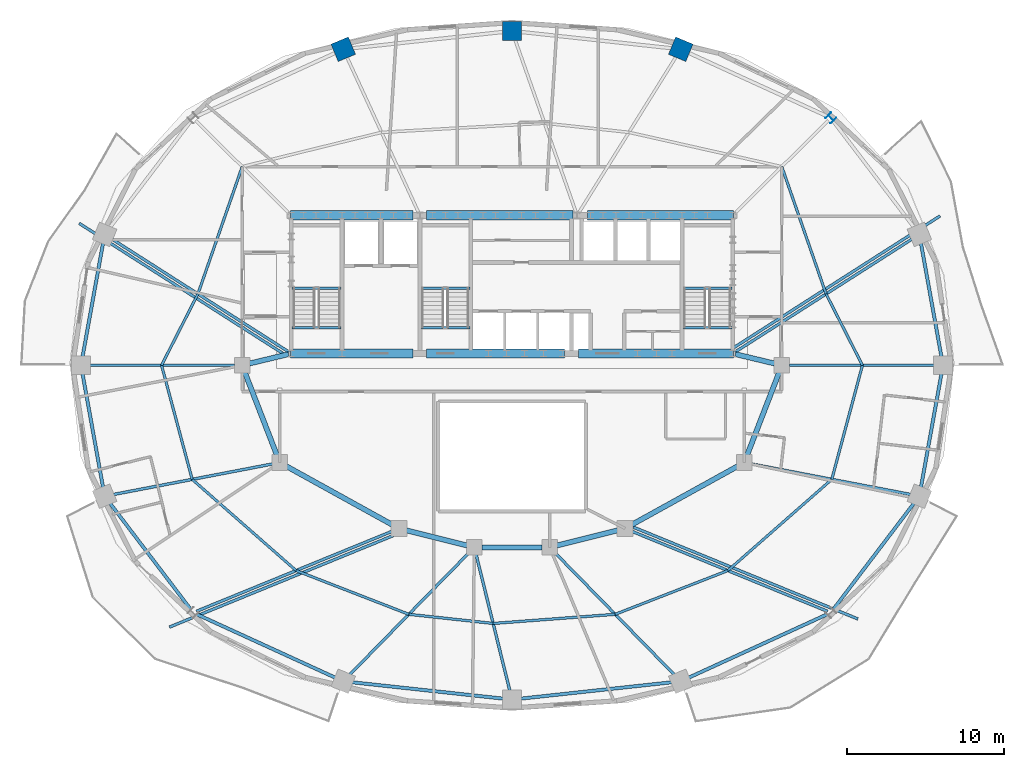
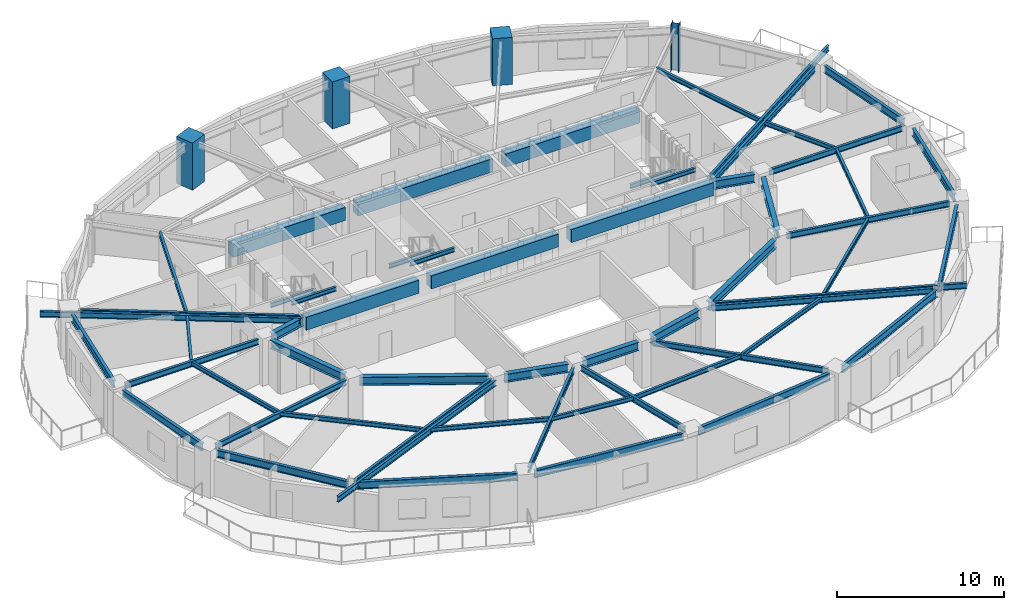
# One storey, part 2 of 10: 58 beams, 4 columns.
"""IFC4 building model written with IfcOpenShell, lengths in metres."""

from ifc_helpers import new_model, si_unit, direction, frame, origin, origin_2d, place, context, subcontext, project, spatial, rectangle, i_section, extrude, material, material_profile, profile_set, type_object, element, save


model = new_model("IFC4")

# Units and contexts
model_context = context("Model", 3, precision=1e-05, world=origin(), true_north=direction((0.0, 1.0)))
body_context = subcontext(model_context, "Body", "Model", "MODEL_VIEW")
ifc_project = project(units=[si_unit("LENGTHUNIT", "METRE"), si_unit("AREAUNIT", "SQUARE_METRE"), si_unit("VOLUMEUNIT", "CUBIC_METRE"), si_unit("PLANEANGLEUNIT", "RADIAN"), si_unit("MASSUNIT", "GRAM", prefix="KILO")], contexts=[model_context])

# Site, building, storey
site_placement = place(None, origin())
site = spatial("IfcSite", under=ifc_project, at=site_placement, CompositionType="ELEMENT")
building_placement = place(site_placement, origin())
building = spatial("IfcBuilding", under=site, at=building_placement, Name="Haldorwick Loom Tower", CompositionType="ELEMENT")
storey_placement = place(building_placement, frame((0.0, 0.0, 193.449951171875)))
storey = spatial("IfcBuildingStorey", under=building, at=storey_placement, Name="L52", CompositionType="ELEMENT", Elevation=193.449951171875)

# Columns
ifc_material_1 = material(Name="Concrete C60 (60 MPa)", Category="concrete")
ifc_material_profile_1 = material_profile(ifc_material_1, rectangle(XDim=1.199951171875, YDim=1.199951171875, at=origin_2d()), Name="RC1200X1200", Category="concrete")
ifc_profile_set_1 = profile_set([ifc_material_profile_1], Name="Concrete C60 (60 MPa)")
column_type_1 = type_object("IfcColumnType", Name="STR-COL-RC1200", PredefinedType="COLUMN", material=ifc_profile_set_1)
for number, where, z_axis, x_axis, name in (
    (1, (46.75341796875, 46.140625, 0.0), (0.0, 0.0, 1.0), (0.382683432365, 0.923879532511, 0.0), "L52 Perimeter Pier Column P04"),
    (2, (36.0, 47.304931640625, 0.0), (0.0, 0.0, 1.0), (0.0, 1.0, 0.0), "L52 Perimeter Pier Column P05"),
    (3, (25.24658203125, 46.140625, 0.0), (0.0, 0.0, 1.0), (-0.382683432365, 0.923879532511, 0.0), "L52 Perimeter Pier Column P06"),
):
    element("IfcColumn", number, at=place(storey_placement, frame(where, z_axis=z_axis, x_axis=x_axis)), inside=storey, type_object=column_type_1, Name=name, PredefinedType="COLUMN", context=body_context, shape_type="SweptSolid", body=[
        extrude(rectangle(XDim=1.199951171875, YDim=1.199951171875, at=origin_2d()), origin(), (0.0, 0.0, 1.0), 3.449951171875),
    ])
ifc_material_2 = material(Name="Steel CSA G40.21 350WT", Category="steel")
ifc_material_profile_2 = material_profile(ifc_material_2, i_section(OverallWidth=0.5, OverallDepth=0.5, WebThickness=0.02197265625, FlangeThickness=0.031982421875, at=origin_2d()), Name="WWF500X500", Category="steel")
ifc_profile_set_2 = profile_set([ifc_material_profile_2], Name="Steel CSA G40.21 350WT")
column_type_2 = type_object("IfcColumnType", Name="STR-COL-WWF500", PredefinedType="COLUMN", material=ifc_profile_set_2)
column_placement = place(storey_placement, frame((56.317626953125, 41.764892578125, 0.0), z_axis=(0.0, 0.0, 1.0), x_axis=(0.707106781187, 0.707106781187, 0.0)))
element("IfcColumn", 4, at=column_placement, inside=storey, type_object=column_type_2, Name="L52 Perimeter Pier Column P03", PredefinedType="COLUMN", context=body_context, shape_type="SweptSolid", body=[
    extrude(i_section(OverallWidth=0.5, OverallDepth=0.5, WebThickness=0.02197265625, FlangeThickness=0.031982421875, at=origin_2d()), origin(), (0.0, 0.0, 1.0), 3.449951171875),
])

# Beams
ifc_material_3 = material(Name="Steel CSA G40.21 350W", Category="steel")
ifc_material_profile_3 = material_profile(ifc_material_3, i_section(OverallWidth=0.179931640625, OverallDepth=0.4130859375, WebThickness=0.009765625, FlangeThickness=0.01611328125, at=origin_2d()), Name="W410X74", Category="steel")
ifc_profile_set_3 = profile_set([ifc_material_profile_3], Name="Steel CSA G40.21 350W")
beam_type_1 = type_object("IfcBeamType", Name="STR-BM-BAL410", PredefinedType="BEAM", material=ifc_profile_set_3)
beam_1_placement = place(storey_placement, frame((43.74560546875, 15.679443359375, 3.003662109375), z_axis=(0.925580184245, -0.378551611451, 0.0), x_axis=(0.378551611451, 0.925580184245, 0.0)))
element("IfcBeam", 5, at=beam_1_placement, inside=storey, type_object=beam_type_1, Name="L52 Continuous Back-Spanned Balcony Beam 1", PredefinedType="BEAM", context=body_context, shape_type="SweptSolid", body=[
    extrude(i_section(OverallWidth=0.179931640625, OverallDepth=0.4130859375, WebThickness=0.009765625, FlangeThickness=0.01611328125, at=origin_2d()), origin(), (0.0, 0.0, 1.0), 15.447509765625),
])
beam_2_placement = place(storey_placement, frame((28.46630859375, 15.160888671875, 3.003662109375), z_axis=(-0.925585721791, -0.378538071556, 0.0), x_axis=(0.378538071556, -0.925585721791, 0.0)))
element("IfcBeam", 6, at=beam_2_placement, inside=storey, type_object=beam_type_1, Name="L52 Continuous Back-Spanned Balcony Beam 2", PredefinedType="BEAM", context=body_context, shape_type="SweptSolid", body=[
    extrude(i_section(OverallWidth=0.179931640625, OverallDepth=0.4130859375, WebThickness=0.009765625, FlangeThickness=0.01611328125, at=origin_2d()), origin(), (0.0, 0.0, 1.0), 15.447265625),
])
for number, where, z_axis, x_axis, name in (
    (7, (21.62939453125, 26.60986328125, 3.003662109375), (-0.842844376394, 0.538157372133, 0.0), (-0.538157372133, -0.842844376394, 0.0), "L52 Continuous Back-Spanned Balcony Beam 3"),
    (8, (50.0693359375, 27.081787109375, 3.003662109375), (0.842844376394, 0.538157372133, 0.0), (-0.538157372133, 0.842844376394, 0.0), "L52 Continuous Back-Spanned Balcony Beam 4"),
):
    element("IfcBeam", number, at=place(storey_placement, frame(where, z_axis=z_axis, x_axis=x_axis)), inside=storey, type_object=beam_type_1, Name=name, PredefinedType="BEAM", context=body_context, shape_type="SweptSolid", body=[
        extrude(i_section(OverallWidth=0.179931640625, OverallDepth=0.4130859375, WebThickness=0.009765625, FlangeThickness=0.01611328125, at=origin_2d()), origin(), (0.0, 0.0, 1.0), 15.680419921875),
    ])
ifc_material_4 = material(Name="Concrete C50 (50 MPa)", Category="concrete")
ifc_material_profile_4 = material_profile(ifc_material_4, rectangle(XDim=0.60009765625, YDim=0.949951171875, at=origin_2d()), Name="RC600X950", Category="concrete")
ifc_profile_set_4 = profile_set([ifc_material_profile_4], Name="Concrete C50 (50 MPa)")
beam_type_2 = type_object("IfcBeamType", Name="STR-BM-CB950", PredefinedType="LINTEL", material=ifc_profile_set_4)
beam_3_placement = place(storey_placement, frame((21.89990234375, 35.550048828125, 2.735107421875), z_axis=(1.0, 0.0, 0.0), x_axis=(0.0, 1.0, 0.0)))
element("IfcBeam", 9, at=beam_3_placement, inside=storey, type_object=beam_type_2, Name="L52 Core Coupling Beam CB-N1", PredefinedType="LINTEL", context=body_context, shape_type="SweptSolid", body=[
    extrude(rectangle(XDim=0.60009765625, YDim=0.949951171875, at=origin_2d()), origin(), (0.0, 0.0, 1.0), 7.800048828125),
])
beam_4_placement = place(storey_placement, frame((30.550048828125, 35.550048828125, 2.735107421875), z_axis=(1.0, 0.0, 0.0), x_axis=(0.0, 1.0, 0.0)))
element("IfcBeam", 10, at=beam_4_placement, inside=storey, type_object=beam_type_2, Name="L52 Core Coupling Beam CB-N2", PredefinedType="LINTEL", context=body_context, shape_type="SweptSolid", body=[
    extrude(rectangle(XDim=0.60009765625, YDim=0.949951171875, at=origin_2d()), origin(), (0.0, 0.0, 1.0), 9.349853515625),
])
beam_5_placement = place(storey_placement, frame((40.800048828125, 35.550048828125, 2.735107421875), z_axis=(1.0, 0.0, 0.0), x_axis=(0.0, 1.0, 0.0)))
element("IfcBeam", 11, at=beam_5_placement, inside=storey, type_object=beam_type_2, Name="L52 Core Coupling Beam CB-N3", PredefinedType="LINTEL", context=body_context, shape_type="SweptSolid", body=[
    extrude(rectangle(XDim=0.60009765625, YDim=0.949951171875, at=origin_2d()), origin(), (0.0, 0.0, 1.0), 9.300048828125),
])
beam_6_placement = place(storey_placement, frame((21.89990234375, 26.75, 2.735107421875), z_axis=(1.0, 0.0, 0.0), x_axis=(0.0, 1.0, 0.0)))
element("IfcBeam", 12, at=beam_6_placement, inside=storey, type_object=beam_type_2, Name="L52 Core Coupling Beam CB-S1", PredefinedType="LINTEL", context=body_context, shape_type="SweptSolid", body=[
    extrude(rectangle(XDim=0.60009765625, YDim=0.949951171875, at=origin_2d()), origin(), (0.0, 0.0, 1.0), 7.800048828125),
])
beam_7_placement = place(storey_placement, frame((30.550048828125, 26.75, 2.735107421875), z_axis=(1.0, 0.0, 0.0), x_axis=(0.0, 1.0, 0.0)))
element("IfcBeam", 13, at=beam_7_placement, inside=storey, type_object=beam_type_2, Name="L52 Core Coupling Beam CB-S2", PredefinedType="LINTEL", context=body_context, shape_type="SweptSolid", body=[
    extrude(rectangle(XDim=0.60009765625, YDim=0.949951171875, at=origin_2d()), origin(), (0.0, 0.0, 1.0), 8.800048828125),
])
beam_8_placement = place(storey_placement, frame((40.25, 26.75, 2.735107421875), z_axis=(1.0, 0.0, 0.0), x_axis=(0.0, 1.0, 0.0)))
element("IfcBeam", 14, at=beam_8_placement, inside=storey, type_object=beam_type_2, Name="L52 Core Coupling Beam CB-S3", PredefinedType="LINTEL", context=body_context, shape_type="SweptSolid", body=[
    extrude(rectangle(XDim=0.60009765625, YDim=0.949951171875, at=origin_2d()), origin(), (0.0, 0.0, 1.0), 9.85009765625),
])
ifc_material_profile_5 = material_profile(ifc_material_3, i_section(OverallWidth=0.166015625, OverallDepth=0.31298828125, WebThickness=0.006591796875, FlangeThickness=0.01123046875, at=origin_2d()), Name="W310X45", Category="steel")
ifc_profile_set_5 = profile_set([ifc_material_profile_5], Name="Steel CSA G40.21 350W")
beam_type_3 = type_object("IfcBeamType", Name="STR-BM-J310", PredefinedType="JOIST", material=ifc_profile_set_5)
beam_9_placement = place(storey_placement, frame((58.333251953125, 26.0, 3.053466796875), z_axis=(-0.454203827517, 0.890897796085, 0.0), x_axis=(-0.890897796085, -0.454203827517, 0.0)))
element("IfcBeam", 15, at=beam_9_placement, inside=storey, type_object=beam_type_3, Name="L52 Mid-Bay Secondary Joist 1", PredefinedType="JOIST", context=body_context, shape_type="SweptSolid", body=[
    extrude(i_section(OverallWidth=0.166015625, OverallDepth=0.31298828125, WebThickness=0.006591796875, FlangeThickness=0.01123046875, at=origin_2d()), origin(), (0.0, 0.0, 1.0), 5.103271484375),
])
for number, where, z_axis, x_axis, name in (
    (16, (56.015380859375, 30.54638671875, 3.053466796875), (-0.328550395803, 0.944486441098, 0.0), (-0.944486441098, -0.328550395803, 0.0), "L52 Mid-Bay Secondary Joist 2"),
    (17, (18.80615234375, 38.657470703125, 3.053466796875), (-0.328550395803, -0.944486441098, 0.0), (0.944486441098, -0.328550395803, 0.0), "L52 Mid-Bay Secondary Joist 7"),
):
    element("IfcBeam", number, at=place(storey_placement, frame(where, z_axis=z_axis, x_axis=x_axis)), inside=storey, type_object=beam_type_3, Name=name, PredefinedType="JOIST", context=body_context, shape_type="SweptSolid", body=[
        extrude(i_section(OverallWidth=0.166015625, OverallDepth=0.31298828125, WebThickness=0.006591796875, FlangeThickness=0.01123046875, at=origin_2d()), origin(), (0.0, 0.0, 1.0), 8.587890625),
    ])
beam_10_placement = place(storey_placement, frame((15.984619140625, 30.54638671875, 3.053466796875), z_axis=(-0.454203827517, -0.890897796085, 0.0), x_axis=(0.890897796085, -0.454203827517, 0.0)))
element("IfcBeam", 18, at=beam_10_placement, inside=storey, type_object=beam_type_3, Name="L52 Mid-Bay Secondary Joist 8", PredefinedType="JOIST", context=body_context, shape_type="SweptSolid", body=[
    extrude(i_section(OverallWidth=0.166015625, OverallDepth=0.31298828125, WebThickness=0.006591796875, FlangeThickness=0.01123046875, at=origin_2d()), origin(), (0.0, 0.0, 1.0), 5.103271484375),
])
beam_11_placement = place(storey_placement, frame((13.666748046875, 26.0, 3.053466796875), z_axis=(0.259353588718, -0.965782437208, 0.0), x_axis=(0.965782437208, 0.259353588718, 0.0)))
element("IfcBeam", 19, at=beam_11_placement, inside=storey, type_object=beam_type_3, Name="L52 Mid-Bay Secondary Joist 9", PredefinedType="JOIST", context=body_context, shape_type="SweptSolid", body=[
    extrude(i_section(OverallWidth=0.166015625, OverallDepth=0.31298828125, WebThickness=0.006591796875, FlangeThickness=0.01123046875, at=origin_2d()), origin(), (0.0, 0.0, 1.0), 7.52880859375),
])
beam_12_placement = place(storey_placement, frame((15.619384765625, 18.728759765625, 3.053466796875), z_axis=(0.751609427289, -0.659608420815, 0.0), x_axis=(0.659608420815, 0.751609427289, 0.0)))
element("IfcBeam", 20, at=beam_12_placement, inside=storey, type_object=beam_type_3, Name="L52 Mid-Bay Secondary Joist 10", PredefinedType="JOIST", context=body_context, shape_type="SweptSolid", body=[
    extrude(i_section(OverallWidth=0.166015625, OverallDepth=0.31298828125, WebThickness=0.006591796875, FlangeThickness=0.01123046875, at=origin_2d()), origin(), (0.0, 0.0, 1.0), 8.810302734375),
])
beam_13_placement = place(storey_placement, frame((22.2412109375, 12.91748046875, 3.053466796875), z_axis=(0.932232852675, -0.36185896202, 0.0), x_axis=(0.36185896202, 0.932232852675, 0.0)))
element("IfcBeam", 21, at=beam_13_placement, inside=storey, type_object=beam_type_3, Name="L52 Mid-Bay Secondary Joist 11", PredefinedType="JOIST", context=body_context, shape_type="SweptSolid", body=[
    extrude(i_section(OverallWidth=0.166015625, OverallDepth=0.31298828125, WebThickness=0.006591796875, FlangeThickness=0.01123046875, at=origin_2d()), origin(), (0.0, 0.0, 1.0), 7.7041015625),
])
beam_14_placement = place(storey_placement, frame((29.42333984375, 10.129638671875, 3.053466796875), z_axis=(0.994191913888, -0.107621737398, 0.0), x_axis=(0.107621737398, 0.994191913888, 0.0)))
element("IfcBeam", 22, at=beam_14_placement, inside=storey, type_object=beam_type_3, Name="L52 Mid-Bay Secondary Joist 12", PredefinedType="JOIST", context=body_context, shape_type="SweptSolid", body=[
    extrude(i_section(OverallWidth=0.166015625, OverallDepth=0.31298828125, WebThickness=0.006591796875, FlangeThickness=0.01123046875, at=origin_2d()), origin(), (0.0, 0.0, 1.0), 5.408203125),
])
beam_15_placement = place(storey_placement, frame((34.800048828125, 9.547607421875, 3.053466796875), z_axis=(0.997210913817, 0.074635067923, 0.0), x_axis=(-0.074635067923, 0.997210913817, 0.0)))
element("IfcBeam", 23, at=beam_15_placement, inside=storey, type_object=beam_type_3, Name="L52 Mid-Bay Secondary Joist 13", PredefinedType="JOIST", context=body_context, shape_type="SweptSolid", body=[
    extrude(i_section(OverallWidth=0.166015625, OverallDepth=0.31298828125, WebThickness=0.006591796875, FlangeThickness=0.01123046875, at=origin_2d()), origin(), (0.0, 0.0, 1.0), 7.79833984375),
])
beam_16_placement = place(storey_placement, frame((42.57666015625, 10.129638671875, 3.053466796875), z_axis=(0.932232852675, 0.36185896202, 0.0), x_axis=(-0.36185896202, 0.932232852675, 0.0)))
element("IfcBeam", 24, at=beam_16_placement, inside=storey, type_object=beam_type_3, Name="L52 Mid-Bay Secondary Joist 14", PredefinedType="JOIST", context=body_context, shape_type="SweptSolid", body=[
    extrude(i_section(OverallWidth=0.166015625, OverallDepth=0.31298828125, WebThickness=0.006591796875, FlangeThickness=0.01123046875, at=origin_2d()), origin(), (0.0, 0.0, 1.0), 7.7041015625),
])
beam_17_placement = place(storey_placement, frame((49.7587890625, 12.91748046875, 3.053466796875), z_axis=(0.751609427289, 0.659608420815, 0.0), x_axis=(-0.659608420815, 0.751609427289, 0.0)))
element("IfcBeam", 25, at=beam_17_placement, inside=storey, type_object=beam_type_3, Name="L52 Mid-Bay Secondary Joist 15", PredefinedType="JOIST", context=body_context, shape_type="SweptSolid", body=[
    extrude(i_section(OverallWidth=0.166015625, OverallDepth=0.31298828125, WebThickness=0.006591796875, FlangeThickness=0.01123046875, at=origin_2d()), origin(), (0.0, 0.0, 1.0), 8.810302734375),
])
beam_18_placement = place(storey_placement, frame((56.380615234375, 18.728759765625, 3.053466796875), z_axis=(0.259353588718, 0.965782437208, 0.0), x_axis=(-0.965782437208, 0.259353588718, 0.0)))
element("IfcBeam", 26, at=beam_18_placement, inside=storey, type_object=beam_type_3, Name="L52 Mid-Bay Secondary Joist 16", PredefinedType="JOIST", context=body_context, shape_type="SweptSolid", body=[
    extrude(i_section(OverallWidth=0.166015625, OverallDepth=0.31298828125, WebThickness=0.006591796875, FlangeThickness=0.01123046875, at=origin_2d()), origin(), (0.0, 0.0, 1.0), 7.52880859375),
])
ifc_material_profile_6 = material_profile(ifc_material_3, i_section(OverallWidth=0.179931640625, OverallDepth=0.4130859375, WebThickness=0.009765625, FlangeThickness=0.01611328125, at=origin_2d()), Name="W410X74", Category="steel")
ifc_profile_set_6 = profile_set([ifc_material_profile_6], Name="Steel CSA G40.21 350W")
beam_type_4 = type_object("IfcBeamType", Name="STR-BM-J410", PredefinedType="JOIST", material=ifc_profile_set_6)
beam_19_placement = place(storey_placement, frame((53.675048828125, 26.0, 3.003662109375), z_axis=(1.0, 0.0, 0.0), x_axis=(0.0, 1.0, 0.0)))
element("IfcBeam", 27, at=beam_19_placement, inside=storey, type_object=beam_type_4, Name="L52 Radial Floor Girder 1", PredefinedType="JOIST", context=body_context, shape_type="SweptSolid", body=[
    extrude(i_section(OverallWidth=0.179931640625, OverallDepth=0.4130859375, WebThickness=0.009765625, FlangeThickness=0.01611328125, at=origin_2d()), origin(), (0.0, 0.0, 1.0), 9.271240234375),
])
for number, where, z_axis, x_axis, name in (
    (28, (50.219970703125, 26.845703125, 3.003662109375), (0.842836647066, 0.538169477361, 0.0), (-0.538169477361, 0.842836647066, 0.0), "L52 Radial Floor Girder 2"),
    (29, (21.780029296875, 26.845703125, 3.003662109375), (-0.842836647066, 0.538169477361, 0.0), (-0.538169477361, -0.842836647066, 0.0), "L52 Radial Floor Girder 8"),
):
    element("IfcBeam", number, at=place(storey_placement, frame(where, z_axis=z_axis, x_axis=x_axis)), inside=storey, type_object=beam_type_4, Name=name, PredefinedType="JOIST", context=body_context, shape_type="SweptSolid", body=[
        extrude(i_section(OverallWidth=0.179931640625, OverallDepth=0.4130859375, WebThickness=0.009765625, FlangeThickness=0.01611328125, at=origin_2d()), origin(), (0.0, 0.0, 1.0), 13.410400390625),
    ])
beam_20_placement = place(storey_placement, frame((18.324951171875, 26.0, 3.003662109375), z_axis=(-1.0, 0.0, 0.0), x_axis=(0.0, -1.0, 0.0)))
element("IfcBeam", 30, at=beam_20_placement, inside=storey, type_object=beam_type_4, Name="L52 Radial Floor Girder 9", PredefinedType="JOIST", context=body_context, shape_type="SweptSolid", body=[
    extrude(i_section(OverallWidth=0.179931640625, OverallDepth=0.4130859375, WebThickness=0.009765625, FlangeThickness=0.01611328125, at=origin_2d()), origin(), (0.0, 0.0, 1.0), 9.271240234375),
])
beam_21_placement = place(storey_placement, frame((20.7333984375, 19.71044921875, 3.003662109375), z_axis=(-0.982069869785, -0.188517295919, 0.0), x_axis=(0.188517295919, -0.982069869785, 0.0)))
element("IfcBeam", 31, at=beam_21_placement, inside=storey, type_object=beam_type_4, Name="L52 Radial Floor Girder 10", PredefinedType="JOIST", context=body_context, shape_type="SweptSolid", body=[
    extrude(i_section(OverallWidth=0.179931640625, OverallDepth=0.4130859375, WebThickness=0.009765625, FlangeThickness=0.01611328125, at=origin_2d()), origin(), (0.0, 0.0, 1.0), 10.36962890625),
])
beam_22_placement = place(storey_placement, frame((28.3603515625, 15.420166015625, 3.003662109375), z_axis=(-0.925583323606, -0.378543935445, 0.0), x_axis=(0.378543935445, -0.925583323606, 0.0)))
element("IfcBeam", 32, at=beam_22_placement, inside=storey, type_object=beam_type_4, Name="L52 Radial Floor Girder 11", PredefinedType="JOIST", context=body_context, shape_type="SweptSolid", body=[
    extrude(i_section(OverallWidth=0.179931640625, OverallDepth=0.4130859375, WebThickness=0.009765625, FlangeThickness=0.01611328125, at=origin_2d()), origin(), (0.0, 0.0, 1.0), 13.47216796875),
])
beam_23_placement = place(storey_placement, frame((33.267822265625, 14.060302734375, 3.003662109375), z_axis=(-0.699238682239, -0.714888288658, 0.0), x_axis=(0.714888288658, -0.699238682239, 0.0)))
element("IfcBeam", 33, at=beam_23_placement, inside=storey, type_object=beam_type_4, Name="L52 Radial Floor Girder 12", PredefinedType="JOIST", context=body_context, shape_type="SweptSolid", body=[
    extrude(i_section(OverallWidth=0.179931640625, OverallDepth=0.4130859375, WebThickness=0.009765625, FlangeThickness=0.01611328125, at=origin_2d()), origin(), (0.0, 0.0, 1.0), 10.951416015625),
])
beam_24_placement = place(storey_placement, frame((33.714111328125, 13.93896484375, 3.003662109375), z_axis=(0.240059013303, -0.970758296453, 0.0), x_axis=(0.970758296453, 0.240059013303, 0.0)))
element("IfcBeam", 34, at=beam_24_placement, inside=storey, type_object=beam_type_4, Name="L52 Radial Floor Girder 13", PredefinedType="JOIST", context=body_context, shape_type="SweptSolid", body=[
    extrude(i_section(OverallWidth=0.179931640625, OverallDepth=0.4130859375, WebThickness=0.009765625, FlangeThickness=0.01611328125, at=origin_2d()), origin(), (0.0, 0.0, 1.0), 9.00244140625),
])
beam_25_placement = place(storey_placement, frame((38.732177734375, 14.060302734375, 3.003662109375), z_axis=(0.699238682239, -0.714888288658, 0.0), x_axis=(0.714888288658, 0.699238682239, 0.0)))
element("IfcBeam", 35, at=beam_25_placement, inside=storey, type_object=beam_type_4, Name="L52 Radial Floor Girder 14", PredefinedType="JOIST", context=body_context, shape_type="SweptSolid", body=[
    extrude(i_section(OverallWidth=0.179931640625, OverallDepth=0.4130859375, WebThickness=0.009765625, FlangeThickness=0.01611328125, at=origin_2d()), origin(), (0.0, 0.0, 1.0), 10.951416015625),
])
beam_26_placement = place(storey_placement, frame((43.6396484375, 15.420166015625, 3.003662109375), z_axis=(0.925583323606, -0.378543935445, 0.0), x_axis=(0.378543935445, 0.925583323606, 0.0)))
element("IfcBeam", 36, at=beam_26_placement, inside=storey, type_object=beam_type_4, Name="L52 Radial Floor Girder 15", PredefinedType="JOIST", context=body_context, shape_type="SweptSolid", body=[
    extrude(i_section(OverallWidth=0.179931640625, OverallDepth=0.4130859375, WebThickness=0.009765625, FlangeThickness=0.01611328125, at=origin_2d()), origin(), (0.0, 0.0, 1.0), 13.47216796875),
])
beam_27_placement = place(storey_placement, frame((51.2666015625, 19.71044921875, 3.003662109375), z_axis=(0.982069869785, -0.188517295919, 0.0), x_axis=(0.188517295919, 0.982069869785, 0.0)))
element("IfcBeam", 37, at=beam_27_placement, inside=storey, type_object=beam_type_4, Name="L52 Radial Floor Girder 16", PredefinedType="JOIST", context=body_context, shape_type="SweptSolid", body=[
    extrude(i_section(OverallWidth=0.179931640625, OverallDepth=0.4130859375, WebThickness=0.009765625, FlangeThickness=0.01611328125, at=origin_2d()), origin(), (0.0, 0.0, 1.0), 10.36962890625),
])
ifc_material_profile_7 = material_profile(ifc_material_3, i_section(OverallWidth=0.2119140625, OverallDepth=0.5439453125, WebThickness=0.01318359375, FlangeThickness=0.021240234375, at=origin_2d()), Name="W530X123", Category="steel")
ifc_profile_set_7 = profile_set([ifc_material_profile_7], Name="Steel CSA G40.21 350W")
beam_type_5 = type_object("IfcBeamType", Name="STR-BM-SP530", PredefinedType="SPANDREL", material=ifc_profile_set_7)
for number, where, z_axis, x_axis, name in (
    (38, (63.3740234375, 26.51171875, 2.93798828125), (-0.1775911332, 0.984104359003, 0.0), (-0.984104359003, -0.1775911332, 0.0), "L52 Perimeter Spandrel 1"),
    (39, (9.94677734375, 33.830810546875, 2.93798828125), (-0.1775911332, -0.984104359003, 0.0), (0.984104359003, -0.1775911332, 0.0), "L52 Perimeter Spandrel 8"),
    (40, (8.6259765625, 25.48828125, 2.93798828125), (0.1775911332, -0.984104359003, 0.0), (0.984104359003, 0.1775911332, 0.0), "L52 Perimeter Spandrel 9"),
):
    element("IfcBeam", number, at=place(storey_placement, frame(where, z_axis=z_axis, x_axis=x_axis)), inside=storey, type_object=beam_type_5, Name=name, PredefinedType="SPANDREL", context=body_context, shape_type="SweptSolid", body=[
        extrude(i_section(OverallWidth=0.2119140625, OverallDepth=0.5439453125, WebThickness=0.01318359375, FlangeThickness=0.021240234375, at=origin_2d()), origin(), (0.0, 0.0, 1.0), 7.437255859375),
    ])
beam_28_placement = place(storey_placement, frame((10.353759765625, 17.24365234375, 2.93798828125), z_axis=(0.605236944797, -0.796045376001, 0.0), x_axis=(0.796045376001, 0.605236944797, 0.0)))
element("IfcBeam", 41, at=beam_28_placement, inside=storey, type_object=beam_type_5, Name="L52 Perimeter Spandrel 10", PredefinedType="SPANDREL", context=body_context, shape_type="SweptSolid", body=[
    extrude(i_section(OverallWidth=0.2119140625, OverallDepth=0.5439453125, WebThickness=0.01318359375, FlangeThickness=0.021240234375, at=origin_2d()), origin(), (0.0, 0.0, 1.0), 8.5791015625),
])
beam_29_placement = place(storey_placement, frame((15.886962890625, 10.1416015625, 2.93798828125), z_axis=(0.909342182232, -0.416049030299, 0.0), x_axis=(0.416049030299, 0.909342182232, 0.0)))
element("IfcBeam", 42, at=beam_29_placement, inside=storey, type_object=beam_type_5, Name="L52 Perimeter Spandrel 11", PredefinedType="SPANDREL", context=body_context, shape_type="SweptSolid", body=[
    extrude(i_section(OverallWidth=0.2119140625, OverallDepth=0.5439453125, WebThickness=0.01318359375, FlangeThickness=0.021240234375, at=origin_2d()), origin(), (0.0, 0.0, 1.0), 9.772705078125),
])
for number, where, z_axis, x_axis, name in (
    (43, (25.763671875, 5.803466796875, 2.93798828125), (0.994187774205, -0.107659972233, 0.0), (0.107659972233, 0.994187774205, 0.0), "L52 Perimeter Spandrel 12"),
    (44, (36.51708984375, 4.7509765625, 2.93798828125), (0.994187774205, 0.107659972233, 0.0), (-0.107659972233, 0.994187774205, 0.0), "L52 Perimeter Spandrel 13"),
):
    element("IfcBeam", number, at=place(storey_placement, frame(where, z_axis=z_axis, x_axis=x_axis)), inside=storey, type_object=beam_type_5, Name=name, PredefinedType="SPANDREL", context=body_context, shape_type="SweptSolid", body=[
        extrude(i_section(OverallWidth=0.2119140625, OverallDepth=0.5439453125, WebThickness=0.01318359375, FlangeThickness=0.021240234375, at=origin_2d()), origin(), (0.0, 0.0, 1.0), 9.776123046875),
    ])
beam_30_placement = place(storey_placement, frame((47.226318359375, 6.07568359375, 2.93798828125), z_axis=(0.909342182232, 0.416049030299, 0.0), x_axis=(-0.416049030299, 0.909342182232, 0.0)))
element("IfcBeam", 45, at=beam_30_placement, inside=storey, type_object=beam_type_5, Name="L52 Perimeter Spandrel 14", PredefinedType="SPANDREL", context=body_context, shape_type="SweptSolid", body=[
    extrude(i_section(OverallWidth=0.2119140625, OverallDepth=0.5439453125, WebThickness=0.01318359375, FlangeThickness=0.021240234375, at=origin_2d()), origin(), (0.0, 0.0, 1.0), 9.772705078125),
])
beam_31_placement = place(storey_placement, frame((56.453857421875, 10.414306640625, 2.93798828125), z_axis=(0.605236944797, 0.796045376001, 0.0), x_axis=(-0.796045376001, 0.605236944797, 0.0)))
element("IfcBeam", 46, at=beam_31_placement, inside=storey, type_object=beam_type_5, Name="L52 Perimeter Spandrel 15", PredefinedType="SPANDREL", context=body_context, shape_type="SweptSolid", body=[
    extrude(i_section(OverallWidth=0.2119140625, OverallDepth=0.5439453125, WebThickness=0.01318359375, FlangeThickness=0.021240234375, at=origin_2d()), origin(), (0.0, 0.0, 1.0), 8.5791015625),
])
beam_32_placement = place(storey_placement, frame((62.05322265625, 18.169189453125, 2.93798828125), z_axis=(0.1775911332, 0.984104359003, 0.0), x_axis=(-0.984104359003, 0.1775911332, 0.0)))
element("IfcBeam", 47, at=beam_32_placement, inside=storey, type_object=beam_type_5, Name="L52 Perimeter Spandrel 16", PredefinedType="SPANDREL", context=body_context, shape_type="SweptSolid", body=[
    extrude(i_section(OverallWidth=0.2119140625, OverallDepth=0.5439453125, WebThickness=0.01318359375, FlangeThickness=0.021240234375, at=origin_2d()), origin(), (0.0, 0.0, 1.0), 7.437255859375),
])
ifc_material_profile_8 = material_profile(ifc_material_3, i_section(OverallWidth=0.166015625, OverallDepth=0.31298828125, WebThickness=0.006591796875, FlangeThickness=0.01123046875, at=origin_2d()), Name="W310X45", Category="steel")
ifc_profile_set_8 = profile_set([ifc_material_profile_8], Name="Steel CSA G40.21 350W")
beam_type_6 = type_object("IfcBeamType", Name="STR-BM-STRM", PredefinedType="BEAM", material=ifc_profile_set_8)
for number, where, z_axis, x_axis, name in (
    (48, (21.989990234375, 28.39990234375, 3.053466796875), (1.0, 0.0, 0.0), (0.0, 1.0, 0.0), "L52 Stair ST-01 Landing Edge Trimmer"),
    (49, (21.989990234375, 30.919921875, 1.36865234375), (1.0, 0.0, 0.0), (0.0, 1.0, 0.0), "L52 Stair ST-01 Half-Landing Trimmer 1"),
    (50, (46.889892578125, 28.39990234375, 3.053466796875), (1.0, 0.0, 0.0), (0.0, 1.0, 0.0), "L52 Stair ST-02 Landing Edge Trimmer"),
    (51, (46.889892578125, 30.919921875, 1.36865234375), (1.0, 0.0, 0.0), (0.0, 1.0, 0.0), "L52 Stair ST-02 Half-Landing Trimmer 1"),
    (52, (30.18994140625, 28.39990234375, 3.053466796875), (1.0, 0.0, 0.0), (0.0, 1.0, 0.0), "L52 Stair ST-03 Landing Edge Trimmer"),
    (53, (30.18994140625, 30.919921875, 1.36865234375), (1.0, 0.0, 0.0), (0.0, 1.0, 0.0), "L52 Stair ST-03 Half-Landing Trimmer 1"),
):
    element("IfcBeam", number, at=place(storey_placement, frame(where, z_axis=z_axis, x_axis=x_axis)), inside=storey, type_object=beam_type_6, Name=name, PredefinedType="BEAM", context=body_context, shape_type="SweptSolid", body=[
        extrude(i_section(OverallWidth=0.166015625, OverallDepth=0.31298828125, WebThickness=0.006591796875, FlangeThickness=0.01123046875, at=origin_2d()), origin(), (0.0, 0.0, 1.0), 3.1201171875),
    ])
ifc_material_profile_9 = material_profile(ifc_material_3, i_section(OverallWidth=0.324951171875, OverallDepth=0.615966796875, WebThickness=0.013916015625, FlangeThickness=0.021484375, at=origin_2d()), Name="W610X174", Category="steel")
ifc_profile_set_9 = profile_set([ifc_material_profile_9], Name="Steel CSA G40.21 350W")
beam_type_7 = type_object("IfcBeamType", Name="STR-BM-W610A", PredefinedType="BEAM", material=ifc_profile_set_9)
beam_33_placement = place(storey_placement, frame((50.2431640625, 26.70849609375, 2.902099609375), z_axis=(0.972464127734, -0.233052612665, 0.0), x_axis=(0.233052612665, 0.972464127734, 0.0)))
element("IfcBeam", 54, at=beam_33_placement, inside=storey, type_object=beam_type_7, Name="L52 Inner Ring Girder 1", PredefinedType="BEAM", context=body_context, shape_type="SweptSolid", body=[
    extrude(i_section(OverallWidth=0.324951171875, OverallDepth=0.615966796875, WebThickness=0.013916015625, FlangeThickness=0.021484375, at=origin_2d()), origin(), (0.0, 0.0, 1.0), 2.5654296875),
])
beam_34_placement = place(storey_placement, frame((53.028564453125, 25.556884765625, 2.902099609375), z_axis=(-0.36101093026, -0.93256158415, 0.0), x_axis=(0.93256158415, -0.36101093026, 0.0)))
element("IfcBeam", 55, at=beam_34_placement, inside=storey, type_object=beam_type_7, Name="L52 Inner Ring Girder 2", PredefinedType="BEAM", context=body_context, shape_type="SweptSolid", body=[
    extrude(i_section(OverallWidth=0.324951171875, OverallDepth=0.615966796875, WebThickness=0.013916015625, FlangeThickness=0.021484375, at=origin_2d()), origin(), (0.0, 0.0, 1.0), 5.6982421875),
])
beam_35_placement = place(storey_placement, frame((50.38427734375, 19.5703125, 2.902099609375), z_axis=(-0.875243645673, -0.483682293152, 0.0), x_axis=(0.483682293152, -0.875243645673, 0.0)))
element("IfcBeam", 56, at=beam_35_placement, inside=storey, type_object=beam_type_7, Name="L52 Inner Ring Girder 3", PredefinedType="BEAM", context=body_context, shape_type="SweptSolid", body=[
    extrude(i_section(OverallWidth=0.324951171875, OverallDepth=0.615966796875, WebThickness=0.013916015625, FlangeThickness=0.021484375, at=origin_2d()), origin(), (0.0, 0.0, 1.0), 7.7333984375),
])
beam_36_placement = place(storey_placement, frame((42.7392578125, 15.48486328125, 2.902099609375), z_axis=(-0.970135315182, -0.242564363081, 0.0), x_axis=(0.242564363081, -0.970135315182, 0.0)))
element("IfcBeam", 57, at=beam_36_placement, inside=storey, type_object=beam_type_7, Name="L52 Inner Ring Girder 4", PredefinedType="BEAM", context=body_context, shape_type="SweptSolid", body=[
    extrude(i_section(OverallWidth=0.324951171875, OverallDepth=0.615966796875, WebThickness=0.013916015625, FlangeThickness=0.021484375, at=origin_2d()), origin(), (0.0, 0.0, 1.0), 3.997802734375),
])
beam_37_placement = place(storey_placement, frame((37.925048828125, 14.39990234375, 2.902099609375), z_axis=(-1.0, 0.0, 0.0), x_axis=(0.0, -1.0, 0.0)))
element("IfcBeam", 58, at=beam_37_placement, inside=storey, type_object=beam_type_7, Name="L52 Inner Ring Girder 5", PredefinedType="BEAM", context=body_context, shape_type="SweptSolid", body=[
    extrude(i_section(OverallWidth=0.324951171875, OverallDepth=0.615966796875, WebThickness=0.013916015625, FlangeThickness=0.021484375, at=origin_2d()), origin(), (0.0, 0.0, 1.0), 3.85009765625),
])
beam_38_placement = place(storey_placement, frame((33.13916015625, 14.51513671875, 2.902099609375), z_axis=(-0.970135315182, 0.242564363081, 0.0), x_axis=(-0.242564363081, -0.970135315182, 0.0)))
element("IfcBeam", 59, at=beam_38_placement, inside=storey, type_object=beam_type_7, Name="L52 Inner Ring Girder 6", PredefinedType="BEAM", context=body_context, shape_type="SweptSolid", body=[
    extrude(i_section(OverallWidth=0.324951171875, OverallDepth=0.615966796875, WebThickness=0.013916015625, FlangeThickness=0.021484375, at=origin_2d()), origin(), (0.0, 0.0, 1.0), 3.997802734375),
])
beam_39_placement = place(storey_placement, frame((28.38427734375, 15.829833984375, 2.902099609375), z_axis=(-0.875243645673, 0.483682293152, 0.0), x_axis=(-0.483682293152, -0.875243645673, 0.0)))
element("IfcBeam", 60, at=beam_39_placement, inside=storey, type_object=beam_type_7, Name="L52 Inner Ring Girder 7", PredefinedType="BEAM", context=body_context, shape_type="SweptSolid", body=[
    extrude(i_section(OverallWidth=0.324951171875, OverallDepth=0.615966796875, WebThickness=0.013916015625, FlangeThickness=0.021484375, at=origin_2d()), origin(), (0.0, 0.0, 1.0), 7.7333984375),
])
beam_40_placement = place(storey_placement, frame((21.028564453125, 20.242919921875, 2.902099609375), z_axis=(-0.36101093026, 0.93256158415, 0.0), x_axis=(-0.93256158415, -0.36101093026, 0.0)))
element("IfcBeam", 61, at=beam_40_placement, inside=storey, type_object=beam_type_7, Name="L52 Inner Ring Girder 8", PredefinedType="BEAM", context=body_context, shape_type="SweptSolid", body=[
    extrude(i_section(OverallWidth=0.324951171875, OverallDepth=0.615966796875, WebThickness=0.013916015625, FlangeThickness=0.021484375, at=origin_2d()), origin(), (0.0, 0.0, 1.0), 5.6982421875),
])
beam_41_placement = place(storey_placement, frame((19.261962890625, 26.110595703125, 2.902099609375), z_axis=(0.972464127734, 0.233052612665, 0.0), x_axis=(-0.233052612665, 0.972464127734, 0.0)))
element("IfcBeam", 62, at=beam_41_placement, inside=storey, type_object=beam_type_7, Name="L52 Inner Ring Girder 9", PredefinedType="BEAM", context=body_context, shape_type="SweptSolid", body=[
    extrude(i_section(OverallWidth=0.324951171875, OverallDepth=0.615966796875, WebThickness=0.013916015625, FlangeThickness=0.021484375, at=origin_2d()), origin(), (0.0, 0.0, 1.0), 2.5654296875),
])

save(model, "model.ifc")
